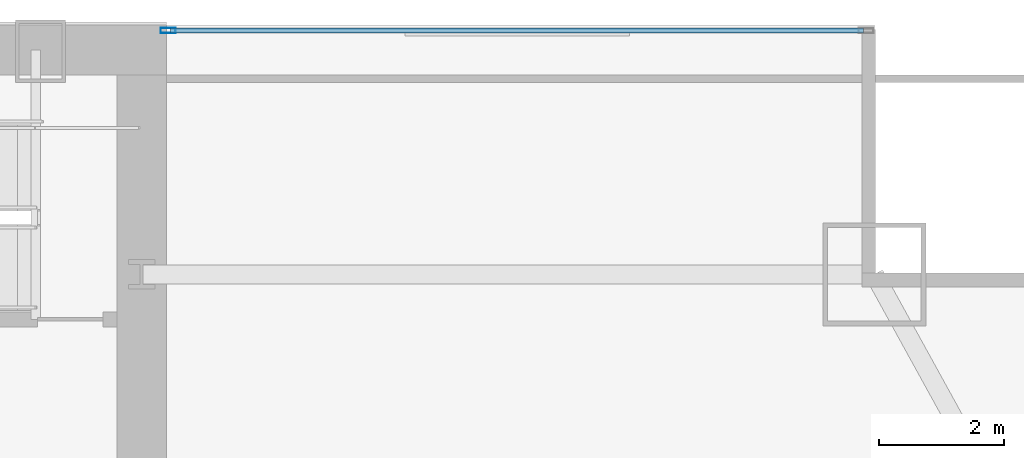
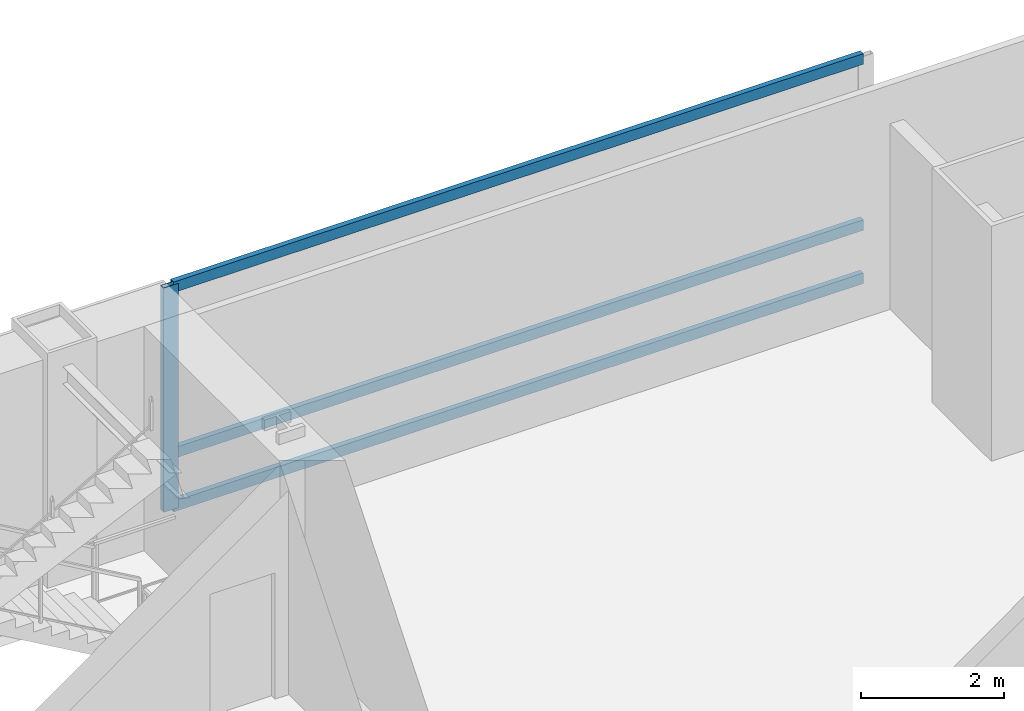
# One storey, part 20 of 36: 4 members, 1 element without a shape of its own.
"""IFC4 building model written with IfcOpenShell, lengths in metres."""

from ifc_helpers import new_model, si_unit, direction, frame, origin, origin_2d, place, context, subcontext, project, spatial, hollow_rectangle, extrude, material, material_profile, profile_set, type_object, element, aggregate, save


model = new_model("IFC4")

# Units and contexts
model_context = context("Model", 3, precision=1e-05, world=origin(), true_north=direction((0.0, 1.0)))
body_context = subcontext(model_context, "Body", "Model", "MODEL_VIEW")
ifc_project = project(units=[si_unit("LENGTHUNIT", "METRE"), si_unit("AREAUNIT", "SQUARE_METRE"), si_unit("VOLUMEUNIT", "CUBIC_METRE"), si_unit("PLANEANGLEUNIT", "RADIAN"), si_unit("MASSUNIT", "GRAM", prefix="KILO")], contexts=[model_context])

# Site, building, storey
site_placement = place(None, origin())
site = spatial("IfcSite", under=ifc_project, at=site_placement, CompositionType="ELEMENT")
building_placement = place(site_placement, origin())
building = spatial("IfcBuilding", under=site, at=building_placement, Name="Khoronbel Lancet Exchange", CompositionType="ELEMENT")
storey_placement = place(building_placement, frame((0.0, 0.0, 57.800048828125)))
storey = spatial("IfcBuildingStorey", under=building, at=storey_placement, Name="L13", CompositionType="ELEMENT", Elevation=57.800048828125)

# Curtain wall, members
ifc_material_1 = material(Name="Low-E Solar Control Insulating Glass", Category="glass")
curtain_wall_type = type_object("IfcCurtainWallType", Name="CW-1", PredefinedType="NOTDEFINED", material=ifc_material_1)
curtain_wall_placement = place(storey_placement, origin())
curtain_wall = element("IfcCurtainWall", 1, at=curtain_wall_placement, inside=storey, type_object=curtain_wall_type, Name="Unitised curtain wall CW-L13-NEFLK", PredefinedType="NOTDEFINED")
ifc_material_2 = material(Name="Bronze-Anodised Aluminium 6063-T6", Category="aluminium")
ifc_material_profile_1 = material_profile(ifc_material_2, hollow_rectangle(XDim=0.0849609375, YDim=0.239990234375, WallThickness=0.006103515625, at=origin_2d()), Name="ALU MULLION 85x240")
ifc_profile_set_1 = profile_set([ifc_material_profile_1], Name="Bronze-Anodised Aluminium 6063-T6")
member_type_1 = type_object("IfcMemberType", Name="MEM-CWM1", PredefinedType="MULLION", material=ifc_profile_set_1)
member_1_placement = place(storey_placement, frame((56.722412109375, 53.610107421875, 0.0), z_axis=(0.0, 0.0, 1.0), x_axis=(0.0, -1.0, 0.0)))
member_1 = element("IfcMember", 2, at=member_1_placement, type_object=member_type_1, Name="CW1 mullion 2", PredefinedType="MULLION", context=body_context, shape_type="SweptSolid", body=[
    extrude(hollow_rectangle(XDim=0.0849609375, YDim=0.239990234375, WallThickness=0.006103515625, at=origin_2d()), origin(), (0.0, 0.0, 1.0), 3.820068359375),
])
ifc_material_profile_2 = material_profile(ifc_material_2, hollow_rectangle(XDim=0.0849609375, YDim=0.179931640625, WallThickness=0.0048828125, at=origin_2d()), Name="ALU TRANSOM 85x180")
ifc_profile_set_2 = profile_set([ifc_material_profile_2], Name="Bronze-Anodised Aluminium 6063-T6")
member_type_2 = type_object("IfcMemberType", Name="MEM-CWT1", PredefinedType="USERDEFINED", material=ifc_profile_set_2)
member_2_placement = place(storey_placement, frame((67.875, 53.610107421875, 0.04248046875), z_axis=(-1.0, 0.0, 0.0), x_axis=(0.0, -1.0, 0.0)))
member_2 = element("IfcMember", 3, at=member_2_placement, type_object=member_type_2, Name="CW1 transom 1.1", ObjectType="TRANSOM", PredefinedType="USERDEFINED", context=body_context, shape_type="SweptSolid", body=[
    extrude(hollow_rectangle(XDim=0.0849609375, YDim=0.179931640625, WallThickness=0.0048828125, at=origin_2d()), origin(), (0.0, 0.0, 1.0), 11.110107421875),
])
member_3_placement = place(storey_placement, frame((67.875, 53.610107421875, 0.949951171875), z_axis=(-1.0, 0.0, 0.0), x_axis=(0.0, -1.0, 0.0)))
member_3 = element("IfcMember", 4, at=member_3_placement, type_object=member_type_2, Name="CW1 transom 1.2", ObjectType="TRANSOM", PredefinedType="USERDEFINED", context=body_context, shape_type="SweptSolid", body=[
    extrude(hollow_rectangle(XDim=0.0849609375, YDim=0.179931640625, WallThickness=0.0048828125, at=origin_2d()), origin(), (0.0, 0.0, 1.0), 11.110107421875),
])
member_4_placement = place(storey_placement, frame((67.875, 53.610107421875, 3.77734375), z_axis=(-1.0, 0.0, 0.0), x_axis=(0.0, -1.0, 0.0)))
member_4 = element("IfcMember", 5, at=member_4_placement, type_object=member_type_2, Name="CW1 transom 1.3", ObjectType="TRANSOM", PredefinedType="USERDEFINED", context=body_context, shape_type="SweptSolid", body=[
    extrude(hollow_rectangle(XDim=0.0849609375, YDim=0.179931640625, WallThickness=0.0048828125, at=origin_2d()), origin(), (0.0, 0.0, 1.0), 11.110107421875),
])
aggregate(curtain_wall, [member_1, member_2, member_3, member_4])

save(model, "model.ifc")
